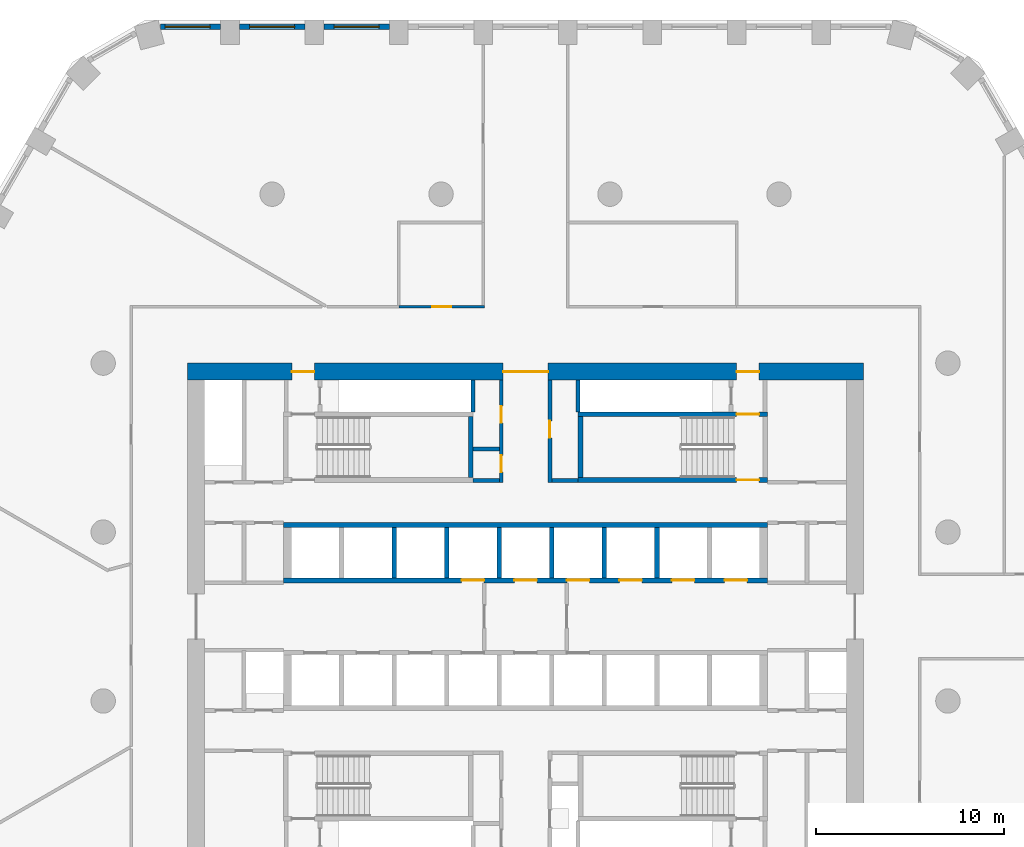
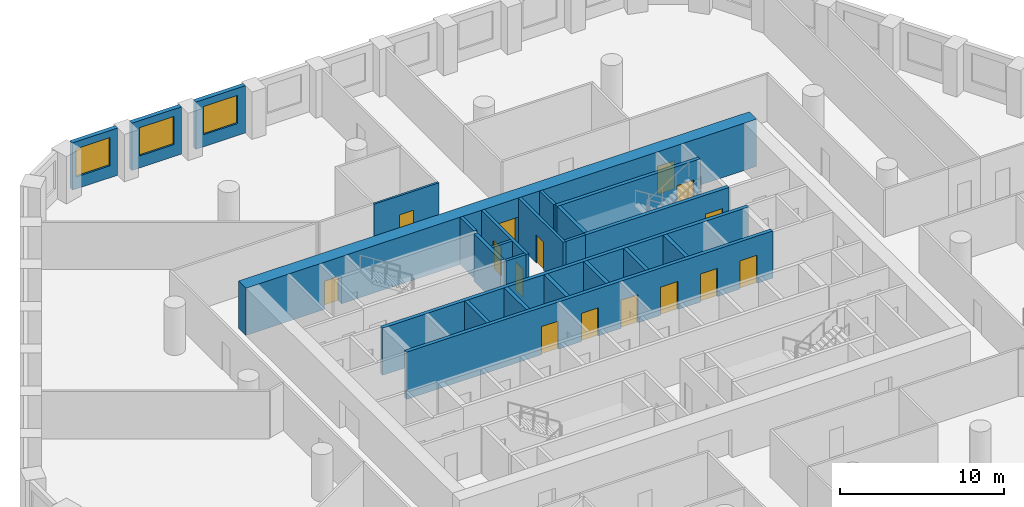
# One storey, part 6 of 10: 24 walls, 15 doors, 3 windows, 18 openings.
"""IFC4 building model written with IfcOpenShell, lengths in metres."""

from ifc_helpers import new_model, si_unit, direction, frame, frame_2d, origin, place, context, subcontext, project, spatial, polyline, rectangle, outline, extrude, material, layer, layer_set, type_object, element, fill, save


model = new_model("IFC4")

# Units and contexts
model_context = context("Model", 3, precision=1e-05, world=origin(), true_north=direction((0.0, 1.0)))
body_context = subcontext(model_context, "Body", "Model", "MODEL_VIEW")
ifc_project = project(units=[si_unit("LENGTHUNIT", "METRE"), si_unit("AREAUNIT", "SQUARE_METRE"), si_unit("VOLUMEUNIT", "CUBIC_METRE"), si_unit("PLANEANGLEUNIT", "RADIAN"), si_unit("MASSUNIT", "GRAM", prefix="KILO")], contexts=[model_context])

# Site, building, storey
site_placement = place(None, origin())
site = spatial("IfcSite", under=ifc_project, at=site_placement, CompositionType="ELEMENT")
building_placement = place(site_placement, origin())
building = spatial("IfcBuilding", under=site, at=building_placement, Name="Dhurran Vertical Campus", CompositionType="ELEMENT")
storey_placement = place(building_placement, frame((0.0, 0.0, 85.199951171875)))
storey = spatial("IfcBuildingStorey", under=building, at=storey_placement, Name="L20", CompositionType="ELEMENT", Elevation=85.199951171875)

# Wall, opening, window
ifc_material_1 = material(Name="Precast concrete C50/60", Category="concrete")
ifc_layer_1 = layer(ifc_material_1, 0.300048828125)
ifc_layer_set_1 = layer_set([ifc_layer_1], Name="Precast concrete C50/60")
wall_type_1 = type_object("IfcWallType", Name="Precast spandrel wall 300", PredefinedType="SOLIDWALL", material=ifc_layer_set_1)
wall_1_placement = place(storey_placement, frame((-7.25048828125, 31.4296875, 0.0), z_axis=(0.0, 0.0, 1.0), x_axis=(-1.0, 0.0, 0.0)))
wall_1 = element("IfcWall", 1, at=wall_1_placement, inside=storey, type_object=wall_type_1, Name="EW1 L20.32", PredefinedType="SOLIDWALL", context=body_context, shape_type="SweptSolid", body=[
    extrude(rectangle(XDim=3.4990234375, YDim=0.300048828125, at=frame_2d((1.74951171875, 0.0))), origin(), (0.0, 0.0, 1.0), 3.525146484375),
])
opening_1_placement = place(wall_1_placement, frame((0.549560546875, 0.0, 0.89990234375)))
opening_1 = element("IfcOpeningElement", 2, at=opening_1_placement, cuts=wall_1, Name="Opening WT1", PredefinedType="OPENING", context=body_context, shape_type="SweptSolid", body=[
    extrude(rectangle(XDim=2.39990234375, YDim=2.10009765625, at=frame_2d((1.199951171875, 1.050048828125))), frame((0.0, 0.159912109375, 0.0), z_axis=(0.0, -1.0, 0.0), x_axis=(1.0, 0.0, 0.0)), (0.0, 0.0, 1.0), 0.320068359375),
])
ifc_material_2 = material(Name="Aluminium frame with solar-control glass", Category="aluminium")
window_type = type_object("IfcWindowType", Name="Punched window 2400 x 2100", PartitioningType="SINGLE_PANEL", PredefinedType="WINDOW", material=ifc_material_2)
window_1_placement = place(opening_1_placement, origin())
window_1 = element("IfcWindow", 3, at=window_1_placement, inside=storey, type_object=window_type, Name="WT1 L20.32", OverallHeight=2.10009765625, OverallWidth=2.39990234375, PartitioningType="SINGLE_PANEL", PredefinedType="WINDOW", context=body_context, shape_type="SweptSolid", body=[
    extrude(rectangle(XDim=2.39990234375, YDim=2.10009765625, at=frame_2d((1.199951171875, 1.050048828125))), frame((0.0, 0.030029296875, 0.0), z_axis=(0.0, -1.0, 0.0), x_axis=(1.0, 0.0, 0.0)), (0.0, 0.0, 1.0), 0.06005859375),
])
fill(opening_1, window_1)

wall_2_placement = place(storey_placement, frame((-11.75048828125, 31.4296875, 0.0), z_axis=(0.0, 0.0, 1.0), x_axis=(-1.0, 0.0, 0.0)))
wall_2 = element("IfcWall", 4, at=wall_2_placement, inside=storey, type_object=wall_type_1, Name="EW1 L20.33", PredefinedType="SOLIDWALL", context=body_context, shape_type="SweptSolid", body=[
    extrude(rectangle(XDim=3.4990234375, YDim=0.300048828125, at=frame_2d((1.74951171875, 0.0))), origin(), (0.0, 0.0, 1.0), 3.525146484375),
])
opening_2_placement = place(wall_2_placement, frame((0.549560546875, 0.0, 0.89990234375)))
opening_2 = element("IfcOpeningElement", 5, at=opening_2_placement, cuts=wall_2, Name="Opening WT1", PredefinedType="OPENING", context=body_context, shape_type="SweptSolid", body=[
    extrude(rectangle(XDim=2.39990234375, YDim=2.10009765625, at=frame_2d((1.199951171875, 1.050048828125))), frame((0.0, 0.159912109375, 0.0), z_axis=(0.0, -1.0, 0.0), x_axis=(1.0, 0.0, 0.0)), (0.0, 0.0, 1.0), 0.320068359375),
])
window_2_placement = place(opening_2_placement, origin())
window_2 = element("IfcWindow", 6, at=window_2_placement, inside=storey, type_object=window_type, Name="WT1 L20.33", OverallHeight=2.10009765625, OverallWidth=2.39990234375, PartitioningType="SINGLE_PANEL", PredefinedType="WINDOW", context=body_context, shape_type="SweptSolid", body=[
    extrude(rectangle(XDim=2.39990234375, YDim=2.10009765625, at=frame_2d((1.199951171875, 1.050048828125))), frame((0.0, 0.030029296875, 0.0), z_axis=(0.0, -1.0, 0.0), x_axis=(1.0, 0.0, 0.0)), (0.0, 0.0, 1.0), 0.06005859375),
])
fill(opening_2, window_2)

wall_3_placement = place(storey_placement, frame((-16.25048828125, 31.4296875, 0.0), z_axis=(0.0, 0.0, 1.0), x_axis=(-1.0, 0.0, 0.0)))
wall_3 = element("IfcWall", 7, at=wall_3_placement, inside=storey, type_object=wall_type_1, Name="EW1 L20.34", PredefinedType="SOLIDWALL", context=body_context, shape_type="SweptSolid", body=[
    extrude(rectangle(XDim=3.1923828125, YDim=0.300048828125, at=frame_2d((1.59619140625, 0.0))), origin(), (0.0, 0.0, 1.0), 3.525146484375),
])
opening_3_placement = place(wall_3_placement, frame((0.549560546875, 0.0, 0.89990234375)))
opening_3 = element("IfcOpeningElement", 8, at=opening_3_placement, cuts=wall_3, Name="Opening WT1", PredefinedType="OPENING", context=body_context, shape_type="SweptSolid", body=[
    extrude(rectangle(XDim=2.39990234375, YDim=2.10009765625, at=frame_2d((1.199951171875, 1.050048828125))), frame((0.0, 0.159912109375, 0.0), z_axis=(0.0, -1.0, 0.0), x_axis=(1.0, 0.0, 0.0)), (0.0, 0.0, 1.0), 0.320068359375),
])
window_3_placement = place(opening_3_placement, origin())
window_3 = element("IfcWindow", 9, at=window_3_placement, inside=storey, type_object=window_type, Name="WT1 L20.34", OverallHeight=2.10009765625, OverallWidth=2.39990234375, PartitioningType="SINGLE_PANEL", PredefinedType="WINDOW", context=body_context, shape_type="SweptSolid", body=[
    extrude(rectangle(XDim=2.39990234375, YDim=2.10009765625, at=frame_2d((1.199951171875, 1.050048828125))), frame((0.0, 0.030029296875, 0.0), z_axis=(0.0, -1.0, 0.0), x_axis=(1.0, 0.0, 0.0)), (0.0, 0.0, 1.0), 0.06005859375),
])
fill(opening_3, window_3)

# Wall, openings, doors
ifc_material_3 = material(Name="Concrete C60/75", Category="concrete")
ifc_layer_2 = layer(ifc_material_3, 0.89990234375)
ifc_layer_set_2 = layer_set([ifc_layer_2], Name="Concrete C60/75")
wall_type_2 = type_object("IfcWallType", Name="co-CORE-WALL-C0-900", PredefinedType="SHEAR", material=ifc_layer_set_2)
wall_4_placement = place(storey_placement, frame((-18.0, 13.050048828125, 0.0), z_axis=(0.0, 0.0, 1.0), x_axis=(1.0, 0.0, 0.0)))
wall_4 = element("IfcWall", 10, at=wall_4_placement, inside=storey, type_object=wall_type_2, Name="Core wall N L20", PredefinedType="SHEAR", context=body_context, shape_type="SweptSolid", body=[
    extrude(rectangle(XDim=36.0, YDim=0.89990234375, at=frame_2d((18.0, 0.0))), origin(), (0.0, 0.0, 1.0), 3.525146484375),
])
opening_4_placement = place(wall_4_placement, frame((16.800048828125, 0.0, 0.0)))
opening_4 = element("IfcOpeningElement", 11, at=opening_4_placement, cuts=wall_4, Name="Opening CV1", PredefinedType="OPENING", context=body_context, shape_type="SweptSolid", body=[
    extrude(rectangle(XDim=2.39990234375, YDim=2.10009765625, at=frame_2d((1.199951171875, 1.050048828125))), frame((0.0, 0.4599609375, 0.0), z_axis=(0.0, -1.0, 0.0), x_axis=(1.0, 0.0, 0.0)), (0.0, 0.0, 1.0), 0.919921875),
])
opening_5_placement = place(wall_4_placement, frame((5.550048828125, 0.0, 0.0)))
opening_5 = element("IfcOpeningElement", 12, at=opening_5_placement, cuts=wall_4, Name="Opening XD1", PredefinedType="OPENING", context=body_context, shape_type="SweptSolid", body=[
    extrude(rectangle(XDim=1.199951171875, YDim=2.10009765625, at=frame_2d((0.60009765625, 1.050048828125))), frame((0.0, 0.4599609375, 0.0), z_axis=(0.0, -1.0, 0.0), x_axis=(1.0, 0.0, 0.0)), (0.0, 0.0, 1.0), 0.919921875),
])
opening_6_placement = place(wall_4_placement, frame((29.25, 0.0, 0.0)))
opening_6 = element("IfcOpeningElement", 13, at=opening_6_placement, cuts=wall_4, Name="Opening XD2", PredefinedType="OPENING", context=body_context, shape_type="SweptSolid", body=[
    extrude(rectangle(XDim=1.199951171875, YDim=2.10009765625, at=frame_2d((0.60009765625, 1.050048828125))), frame((0.0, 0.4599609375, 0.0), z_axis=(0.0, -1.0, 0.0), x_axis=(1.0, 0.0, 0.0)), (0.0, 0.0, 1.0), 0.919921875),
])
ifc_material_4 = material(Name="Fire-rated glazed door set")
door_type_1 = type_object("IfcDoorType", Name="co-D-LOBBY 2400x2100", OperationType="DOUBLE_DOOR_DOUBLE_SWING", PredefinedType="DOOR", material=ifc_material_4)
door_1_placement = place(opening_4_placement, origin())
door_1 = element("IfcDoor", 14, at=door_1_placement, inside=storey, type_object=door_type_1, Name="Core vestibule door N L20", OperationType="DOUBLE_DOOR_DOUBLE_SWING", OverallHeight=2.10009765625, OverallWidth=2.39990234375, PredefinedType="DOOR", context=body_context, shape_type="SweptSolid", body=[
    extrude(rectangle(XDim=2.39990234375, YDim=2.10009765625, at=frame_2d((1.199951171875, 1.050048828125))), frame((0.0, 0.02490234375, 0.0), z_axis=(0.0, -1.0, 0.0), x_axis=(1.0, 0.0, 0.0)), (0.0, 0.0, 1.0), 0.050048828125),
])
fill(opening_4, door_1)
ifc_material_5 = material(Name="Fire-rated steel door set", Category="steel")
door_type_2 = type_object("IfcDoorType", Name="co-D-STAIR-EXIT 1200x2100", OperationType="SINGLE_SWING_RIGHT", PredefinedType="DOOR", material=ifc_material_5)
door_2_placement = place(opening_5_placement, origin())
door_2 = element("IfcDoor", 15, at=door_2_placement, inside=storey, type_object=door_type_2, Name="Stair ST1 exit door L20", OperationType="SINGLE_SWING_RIGHT", OverallHeight=2.10009765625, OverallWidth=1.199951171875, PredefinedType="DOOR", context=body_context, shape_type="SweptSolid", body=[
    extrude(rectangle(XDim=1.199951171875, YDim=2.10009765625, at=frame_2d((0.60009765625, 1.050048828125))), frame((0.0, 0.02490234375, 0.0), z_axis=(0.0, -1.0, 0.0), x_axis=(1.0, 0.0, 0.0)), (0.0, 0.0, 1.0), 0.050048828125),
])
fill(opening_5, door_2)
door_3_placement = place(opening_6_placement, origin())
door_3 = element("IfcDoor", 16, at=door_3_placement, inside=storey, type_object=door_type_2, Name="Stair ST2 exit door L20", OperationType="SINGLE_SWING_RIGHT", OverallHeight=2.10009765625, OverallWidth=1.199951171875, PredefinedType="DOOR", context=body_context, shape_type="SweptSolid", body=[
    extrude(rectangle(XDim=1.199951171875, YDim=2.10009765625, at=frame_2d((0.60009765625, 1.050048828125))), frame((0.0, 0.02490234375, 0.0), z_axis=(0.0, -1.0, 0.0), x_axis=(1.0, 0.0, 0.0)), (0.0, 0.0, 1.0), 0.050048828125),
])
fill(opening_6, door_3)

# Walls
ifc_material_6 = material(Name="Fire-rated masonry blockwork", Category="masonry")
ifc_layer_3 = layer(ifc_material_6, 0.199951171875)
ifc_layer_set_3 = layer_set([ifc_layer_3], Name="Fire-rated masonry blockwork")
wall_type_3 = type_object("IfcWallType", Name="co-FIRE-PARTITION-200", PredefinedType="PARTITIONING", material=ifc_layer_set_3)
for number, where, z_axis, x_axis, name in (
    (17, (-2.800048828125, 7.25, 0.0), (0.0, 0.0, 1.0), (1.0, 0.0, 0.0), "Core partition sl-NW-S L20"),
    (18, (-2.800048828125, 8.925048828125, 0.0), (0.0, 0.0, 1.0), (1.0, 0.0, 0.0), "Core partition sl-NW-cut0 L20"),
    (19, (1.39990234375, 7.25, 0.0), (0.0, 0.0, 1.0), (1.0, 0.0, 0.0), "Core partition sl-NE-S L20"),
):
    element("IfcWall", number, at=place(storey_placement, frame(where, z_axis=z_axis, x_axis=x_axis)), inside=storey, type_object=wall_type_3, Name=name, PredefinedType="PARTITIONING", context=body_context, shape_type="SweptSolid", body=[
        extrude(rectangle(XDim=1.400146484375, YDim=0.199951171875, at=frame_2d((0.7001953125, 0.0))), origin(), (0.0, 0.0, 1.0), 3.525146484375),
    ])

# Wall, openings, doors
wall_5_placement = place(storey_placement, frame((-1.300048828125, 7.14990234375, 0.0), z_axis=(0.0, 0.0, 1.0), x_axis=(0.0, 1.0, 0.0)))
wall_5 = element("IfcWall", 20, at=wall_5_placement, inside=storey, type_object=wall_type_3, Name="Core partition vest-NW L20", PredefinedType="PARTITIONING", context=body_context, shape_type="SweptSolid", body=[
    extrude(rectangle(XDim=5.4501953125, YDim=0.199951171875, at=frame_2d((2.72509765625, 0.0))), origin(), (0.0, 0.0, 1.0), 3.525146484375),
])
opening_7_placement = place(wall_5_placement, frame((0.53759765625, 0.0, 0.0)))
opening_7 = element("IfcOpeningElement", 21, at=opening_7_placement, cuts=wall_5, Name="Opening T05-C5", PredefinedType="OPENING", context=body_context, shape_type="SweptSolid", body=[
    extrude(rectangle(XDim=0.89990234375, YDim=2.10009765625, at=frame_2d((0.449951171875, 1.050048828125))), frame((0.0, 0.10986328125, 0.0), z_axis=(0.0, -1.0, 0.0), x_axis=(1.0, 0.0, 0.0)), (0.0, 0.0, 1.0), 0.219970703125),
])
opening_8_placement = place(wall_5_placement, frame((3.16259765625, 0.0, 0.0)))
opening_8 = element("IfcOpeningElement", 22, at=opening_8_placement, cuts=wall_5, Name="Opening T05-C6", PredefinedType="OPENING", context=body_context, shape_type="SweptSolid", body=[
    extrude(rectangle(XDim=0.89990234375, YDim=2.10009765625, at=frame_2d((0.449951171875, 1.050048828125))), frame((0.0, 0.10986328125, 0.0), z_axis=(0.0, -1.0, 0.0), x_axis=(1.0, 0.0, 0.0)), (0.0, 0.0, 1.0), 0.219970703125),
])
ifc_material_7 = material(Name="Fire-rated timber door set", Category="wood")
door_type_3 = type_object("IfcDoorType", Name="co-D-ROOM 900x2100", OperationType="SINGLE_SWING_LEFT", PredefinedType="DOOR", material=ifc_material_7)
door_4_placement = place(opening_7_placement, origin())
door_4 = element("IfcDoor", 23, at=door_4_placement, inside=storey, type_object=door_type_3, Name="Housekeeping store door L20", OperationType="SINGLE_SWING_LEFT", OverallHeight=2.10009765625, OverallWidth=0.89990234375, PredefinedType="DOOR", context=body_context, shape_type="SweptSolid", body=[
    extrude(rectangle(XDim=0.89990234375, YDim=2.10009765625, at=frame_2d((0.449951171875, 1.050048828125))), frame((0.0, 0.02490234375, 0.0), z_axis=(0.0, -1.0, 0.0), x_axis=(1.0, 0.0, 0.0)), (0.0, 0.0, 1.0), 0.050048828125),
])
fill(opening_7, door_4)
door_5_placement = place(opening_8_placement, origin())
door_5 = element("IfcDoor", 24, at=door_5_placement, inside=storey, type_object=door_type_3, Name="Print room door L20", OperationType="SINGLE_SWING_LEFT", OverallHeight=2.10009765625, OverallWidth=0.89990234375, PredefinedType="DOOR", context=body_context, shape_type="SweptSolid", body=[
    extrude(rectangle(XDim=0.89990234375, YDim=2.10009765625, at=frame_2d((0.449951171875, 1.050048828125))), frame((0.0, 0.02490234375, 0.0), z_axis=(0.0, -1.0, 0.0), x_axis=(1.0, 0.0, 0.0)), (0.0, 0.0, 1.0), 0.050048828125),
])
fill(opening_8, door_5)

# Wall, opening, door
wall_6_placement = place(storey_placement, frame((1.300048828125, 7.14990234375, 0.0), z_axis=(0.0, 0.0, 1.0), x_axis=(0.0, 1.0, 0.0)))
wall_6 = element("IfcWall", 25, at=wall_6_placement, inside=storey, type_object=wall_type_3, Name="Core partition vest-NE L20", PredefinedType="PARTITIONING", context=body_context, shape_type="SweptSolid", body=[
    extrude(rectangle(XDim=5.4501953125, YDim=0.199951171875, at=frame_2d((2.72509765625, 0.0))), origin(), (0.0, 0.0, 1.0), 3.525146484375),
])
opening_9_placement = place(wall_6_placement, frame((2.375, 0.0, 0.0)))
opening_9 = element("IfcOpeningElement", 26, at=opening_9_placement, cuts=wall_6, Name="Opening T05-C7", PredefinedType="OPENING", context=body_context, shape_type="SweptSolid", body=[
    extrude(rectangle(XDim=0.89990234375, YDim=2.10009765625, at=frame_2d((0.449951171875, 1.050048828125))), frame((0.0, 0.10986328125, 0.0), z_axis=(0.0, -1.0, 0.0), x_axis=(1.0, 0.0, 0.0)), (0.0, 0.0, 1.0), 0.219970703125),
])
door_6_placement = place(opening_9_placement, origin())
door_6 = element("IfcDoor", 27, at=door_6_placement, inside=storey, type_object=door_type_3, Name="Cleaner's store door L20", OperationType="SINGLE_SWING_LEFT", OverallHeight=2.10009765625, OverallWidth=0.89990234375, PredefinedType="DOOR", context=body_context, shape_type="SweptSolid", body=[
    extrude(rectangle(XDim=0.89990234375, YDim=2.10009765625, at=frame_2d((0.449951171875, 1.050048828125))), frame((0.0, 0.02490234375, 0.0), z_axis=(0.0, -1.0, 0.0), x_axis=(1.0, 0.0, 0.0)), (0.0, 0.0, 1.0), 0.050048828125),
])
fill(opening_9, door_6)

# Walls
for number, where, z_axis, x_axis, name in (
    (28, (-2.800048828125, 10.90087890625, 0.0), (0.0, 0.0, 1.0), (0.0, 1.0, 0.0), "Riser enclosure wall L20"),
    (29, (2.800048828125, 12.59912109375, 0.0), (0.0, 0.0, 1.0), (0.0, -1.0, 0.0), "Riser enclosure wall L20"),
):
    element("IfcWall", number, at=place(storey_placement, frame(where, z_axis=z_axis, x_axis=x_axis)), inside=storey, type_object=wall_type_3, Name=name, PredefinedType="PARTITIONING", context=body_context, shape_type="SweptSolid", body=[
        extrude(rectangle(XDim=1.6982421875, YDim=0.199951171875, at=frame_2d((0.84912109375, 0.0))), origin(), (0.0, 0.0, 1.0), 3.525146484375),
    ])

# Wall, openings, doors
ifc_material_8 = material(Name="Concrete C50/60", Category="concrete")
ifc_layer_4 = layer(ifc_material_8, 0.25)
ifc_layer_set_4 = layer_set([ifc_layer_4], Name="Concrete C50/60")
wall_type_4 = type_object("IfcWallType", Name="co-SHAFT-FRONT-250", PredefinedType="SHEAR", material=ifc_layer_set_4)
wall_7_placement = place(storey_placement, frame((-12.89990234375, 1.925048828125, 0.0), z_axis=(0.0, 0.0, 1.0), x_axis=(1.0, 0.0, 0.0)))
wall_7 = element("IfcWall", 30, at=wall_7_placement, inside=storey, type_object=wall_type_4, Name="Lift landing wall N L20", PredefinedType="SHEAR", context=body_context, shape_type="SweptSolid", body=[
    extrude(rectangle(XDim=25.7998046875, YDim=0.25, at=frame_2d((12.89990234375, 0.0))), origin(), (0.0, 0.0, 1.0), 3.525146484375),
])
opening_10_placement = place(wall_7_placement, frame((9.5, 0.0, 0.0)))
opening_10 = element("IfcOpeningElement", 31, at=opening_10_placement, cuts=wall_7, Name="Opening LD", PredefinedType="OPENING", context=body_context, shape_type="SweptSolid", body=[
    extrude(rectangle(XDim=1.199951171875, YDim=2.10009765625, at=frame_2d((0.60009765625, 1.050048828125))), frame((0.0, 0.135009765625, 0.0), z_axis=(0.0, -1.0, 0.0), x_axis=(1.0, 0.0, 0.0)), (0.0, 0.0, 1.0), 0.27001953125),
])
opening_11_placement = place(wall_7_placement, frame((12.300048828125, 0.0, 0.0)))
opening_11 = element("IfcOpeningElement", 32, at=opening_11_placement, cuts=wall_7, Name="Opening LD", PredefinedType="OPENING", context=body_context, shape_type="SweptSolid", body=[
    extrude(rectangle(XDim=1.199951171875, YDim=2.10009765625, at=frame_2d((0.60009765625, 1.050048828125))), frame((0.0, 0.135009765625, 0.0), z_axis=(0.0, -1.0, 0.0), x_axis=(1.0, 0.0, 0.0)), (0.0, 0.0, 1.0), 0.27001953125),
])
opening_12_placement = place(wall_7_placement, frame((15.10009765625, 0.0, 0.0)))
opening_12 = element("IfcOpeningElement", 33, at=opening_12_placement, cuts=wall_7, Name="Opening LD", PredefinedType="OPENING", context=body_context, shape_type="SweptSolid", body=[
    extrude(rectangle(XDim=1.199951171875, YDim=2.10009765625, at=frame_2d((0.60009765625, 1.050048828125))), frame((0.0, 0.135009765625, 0.0), z_axis=(0.0, -1.0, 0.0), x_axis=(1.0, 0.0, 0.0)), (0.0, 0.0, 1.0), 0.27001953125),
])
opening_13_placement = place(wall_7_placement, frame((17.89990234375, 0.0, 0.0)))
opening_13 = element("IfcOpeningElement", 34, at=opening_13_placement, cuts=wall_7, Name="Opening LD", PredefinedType="OPENING", context=body_context, shape_type="SweptSolid", body=[
    extrude(rectangle(XDim=1.199951171875, YDim=2.10009765625, at=frame_2d((0.60009765625, 1.050048828125))), frame((0.0, 0.135009765625, 0.0), z_axis=(0.0, -1.0, 0.0), x_axis=(1.0, 0.0, 0.0)), (0.0, 0.0, 1.0), 0.27001953125),
])
opening_14_placement = place(wall_7_placement, frame((20.699951171875, 0.0, 0.0)))
opening_14 = element("IfcOpeningElement", 35, at=opening_14_placement, cuts=wall_7, Name="Opening LD", PredefinedType="OPENING", context=body_context, shape_type="SweptSolid", body=[
    extrude(rectangle(XDim=1.199951171875, YDim=2.10009765625, at=frame_2d((0.60009765625, 1.050048828125))), frame((0.0, 0.135009765625, 0.0), z_axis=(0.0, -1.0, 0.0), x_axis=(1.0, 0.0, 0.0)), (0.0, 0.0, 1.0), 0.27001953125),
])
opening_15_placement = place(wall_7_placement, frame((23.5, 0.0, 0.0)))
opening_15 = element("IfcOpeningElement", 36, at=opening_15_placement, cuts=wall_7, Name="Opening LD", PredefinedType="OPENING", context=body_context, shape_type="SweptSolid", body=[
    extrude(rectangle(XDim=1.199951171875, YDim=2.10009765625, at=frame_2d((0.60009765625, 1.050048828125))), frame((0.0, 0.135009765625, 0.0), z_axis=(0.0, -1.0, 0.0), x_axis=(1.0, 0.0, 0.0)), (0.0, 0.0, 1.0), 0.27001953125),
])
ifc_material_9 = material(Name="Stainless steel landing door", Category="steel")
door_type_4 = type_object("IfcDoorType", Name="co-D-LANDING 1200x2100", OperationType="DOUBLE_DOOR_SLIDING", PredefinedType="DOOR", material=ifc_material_9)
door_7_placement = place(opening_10_placement, origin())
door_7 = element("IfcDoor", 37, at=door_7_placement, inside=storey, type_object=door_type_4, Name="Landing door LR1 L20", OperationType="DOUBLE_DOOR_SLIDING", OverallHeight=2.10009765625, OverallWidth=1.199951171875, PredefinedType="DOOR", context=body_context, shape_type="SweptSolid", body=[
    extrude(rectangle(XDim=1.199951171875, YDim=2.10009765625, at=frame_2d((0.60009765625, 1.050048828125))), frame((0.0, 0.02490234375, 0.0), z_axis=(0.0, -1.0, 0.0), x_axis=(1.0, 0.0, 0.0)), (0.0, 0.0, 1.0), 0.050048828125),
])
fill(opening_10, door_7)
door_8_placement = place(opening_11_placement, origin())
door_8 = element("IfcDoor", 38, at=door_8_placement, inside=storey, type_object=door_type_4, Name="Landing door FF1 L20", OperationType="DOUBLE_DOOR_SLIDING", OverallHeight=2.10009765625, OverallWidth=1.199951171875, PredefinedType="DOOR", context=body_context, shape_type="SweptSolid", body=[
    extrude(rectangle(XDim=1.199951171875, YDim=2.10009765625, at=frame_2d((0.60009765625, 1.050048828125))), frame((0.0, 0.02490234375, 0.0), z_axis=(0.0, -1.0, 0.0), x_axis=(1.0, 0.0, 0.0)), (0.0, 0.0, 1.0), 0.050048828125),
])
fill(opening_11, door_8)
door_9_placement = place(opening_12_placement, origin())
door_9 = element("IfcDoor", 39, at=door_9_placement, inside=storey, type_object=door_type_4, Name="Landing door LR2 L20", OperationType="DOUBLE_DOOR_SLIDING", OverallHeight=2.10009765625, OverallWidth=1.199951171875, PredefinedType="DOOR", context=body_context, shape_type="SweptSolid", body=[
    extrude(rectangle(XDim=1.199951171875, YDim=2.10009765625, at=frame_2d((0.60009765625, 1.050048828125))), frame((0.0, 0.02490234375, 0.0), z_axis=(0.0, -1.0, 0.0), x_axis=(1.0, 0.0, 0.0)), (0.0, 0.0, 1.0), 0.050048828125),
])
fill(opening_12, door_9)
door_10_placement = place(opening_13_placement, origin())
door_10 = element("IfcDoor", 40, at=door_10_placement, inside=storey, type_object=door_type_4, Name="Landing door LR3 L20", OperationType="DOUBLE_DOOR_SLIDING", OverallHeight=2.10009765625, OverallWidth=1.199951171875, PredefinedType="DOOR", context=body_context, shape_type="SweptSolid", body=[
    extrude(rectangle(XDim=1.199951171875, YDim=2.10009765625, at=frame_2d((0.60009765625, 1.050048828125))), frame((0.0, 0.02490234375, 0.0), z_axis=(0.0, -1.0, 0.0), x_axis=(1.0, 0.0, 0.0)), (0.0, 0.0, 1.0), 0.050048828125),
])
fill(opening_13, door_10)
door_11_placement = place(opening_14_placement, origin())
door_11 = element("IfcDoor", 41, at=door_11_placement, inside=storey, type_object=door_type_4, Name="Landing door LR4 L20", OperationType="DOUBLE_DOOR_SLIDING", OverallHeight=2.10009765625, OverallWidth=1.199951171875, PredefinedType="DOOR", context=body_context, shape_type="SweptSolid", body=[
    extrude(rectangle(XDim=1.199951171875, YDim=2.10009765625, at=frame_2d((0.60009765625, 1.050048828125))), frame((0.0, 0.02490234375, 0.0), z_axis=(0.0, -1.0, 0.0), x_axis=(1.0, 0.0, 0.0)), (0.0, 0.0, 1.0), 0.050048828125),
])
fill(opening_14, door_11)
door_12_placement = place(opening_15_placement, origin())
door_12 = element("IfcDoor", 42, at=door_12_placement, inside=storey, type_object=door_type_4, Name="Landing door SV2 L20", OperationType="DOUBLE_DOOR_SLIDING", OverallHeight=2.10009765625, OverallWidth=1.199951171875, PredefinedType="DOOR", context=body_context, shape_type="SweptSolid", body=[
    extrude(rectangle(XDim=1.199951171875, YDim=2.10009765625, at=frame_2d((0.60009765625, 1.050048828125))), frame((0.0, 0.02490234375, 0.0), z_axis=(0.0, -1.0, 0.0), x_axis=(1.0, 0.0, 0.0)), (0.0, 0.0, 1.0), 0.050048828125),
])
fill(opening_15, door_12)

# Walls
ifc_material_10 = material(Name="Concrete C50/60", Category="concrete")
ifc_layer_5 = layer(ifc_material_10, 0.25)
ifc_layer_set_5 = layer_set([ifc_layer_5], Name="Concrete C50/60")
wall_type_5 = type_object("IfcWallType", Name="co-SHAFT-MASS-250", PredefinedType="SHEAR", material=ifc_layer_set_5)
wall_8_placement = place(storey_placement, origin())
element("IfcWall", 43, at=wall_8_placement, inside=storey, type_object=wall_type_5, Name="Lift shaft wall N L20 1", PredefinedType="SHEAR", context=body_context, shape_type="SweptSolid", body=[
    extrude(outline(polyline([(-12.89990234375, 4.75), (12.89990234375, 4.75), (12.89990234375, 5.0), (-12.89990234375, 5.0), (-12.89990234375, 4.75)])), origin(), (0.0, 0.0, 1.0), 3.525146484375),
])
wall_9_placement = place(storey_placement, origin())
element("IfcWall", 44, at=wall_9_placement, inside=storey, type_object=wall_type_5, Name="Lift shaft wall N L20 4", PredefinedType="SHEAR", context=body_context, shape_type="SweptSolid", body=[
    extrude(outline(polyline([(-7.125, 2.050048828125), (-6.875, 2.050048828125), (-6.875, 4.75), (-7.125, 4.75), (-7.125, 2.050048828125)])), origin(), (0.0, 0.0, 1.0), 3.525146484375),
])
wall_10_placement = place(storey_placement, origin())
element("IfcWall", 45, at=wall_10_placement, inside=storey, type_object=wall_type_5, Name="Lift shaft wall N L20 5", PredefinedType="SHEAR", context=body_context, shape_type="SweptSolid", body=[
    extrude(outline(polyline([(-4.324951171875, 2.050048828125), (-4.074951171875, 2.050048828125), (-4.074951171875, 4.75), (-4.324951171875, 4.75), (-4.324951171875, 2.050048828125)])), origin(), (0.0, 0.0, 1.0), 3.525146484375),
])
wall_11_placement = place(storey_placement, origin())
element("IfcWall", 46, at=wall_11_placement, inside=storey, type_object=wall_type_5, Name="Lift shaft wall N L20 6", PredefinedType="SHEAR", context=body_context, shape_type="SweptSolid", body=[
    extrude(outline(polyline([(-1.52490234375, 2.050048828125), (-1.27490234375, 2.050048828125), (-1.27490234375, 4.75), (-1.52490234375, 4.75), (-1.52490234375, 2.050048828125)])), origin(), (0.0, 0.0, 1.0), 3.525146484375),
])
wall_12_placement = place(storey_placement, origin())
element("IfcWall", 47, at=wall_12_placement, inside=storey, type_object=wall_type_5, Name="Lift shaft wall N L20 7", PredefinedType="SHEAR", context=body_context, shape_type="SweptSolid", body=[
    extrude(outline(polyline([(1.27490234375, 2.050048828125), (1.52490234375, 2.050048828125), (1.52490234375, 4.75), (1.27490234375, 4.75), (1.27490234375, 2.050048828125)])), origin(), (0.0, 0.0, 1.0), 3.525146484375),
])
wall_13_placement = place(storey_placement, origin())
element("IfcWall", 48, at=wall_13_placement, inside=storey, type_object=wall_type_5, Name="Lift shaft wall N L20 8", PredefinedType="SHEAR", context=body_context, shape_type="SweptSolid", body=[
    extrude(outline(polyline([(4.074951171875, 2.050048828125), (4.324951171875, 2.050048828125), (4.324951171875, 4.75), (4.074951171875, 4.75), (4.074951171875, 2.050048828125)])), origin(), (0.0, 0.0, 1.0), 3.525146484375),
])
wall_14_placement = place(storey_placement, origin())
element("IfcWall", 49, at=wall_14_placement, inside=storey, type_object=wall_type_5, Name="Lift shaft wall N L20 9", PredefinedType="SHEAR", context=body_context, shape_type="SweptSolid", body=[
    extrude(outline(polyline([(6.875, 2.050048828125), (7.125, 2.050048828125), (7.125, 4.75), (6.875, 4.75), (6.875, 2.050048828125)])), origin(), (0.0, 0.0, 1.0), 3.525146484375),
])
ifc_material_11 = material(Name="Concrete C40/50", Category="concrete")
ifc_layer_6 = layer(ifc_material_11, 0.25)
ifc_layer_set_6 = layer_set([ifc_layer_6], Name="Concrete C40/50")
wall_type_6 = type_object("IfcWallType", Name="co-STAIR-WALL-250", PredefinedType="SHEAR", material=ifc_layer_set_6)
wall_15_placement = place(storey_placement, frame((-2.925048828125, 7.39990234375, 0.0), z_axis=(0.0, 0.0, 1.0), x_axis=(0.0, 1.0, 0.0)))
element("IfcWall", 50, at=wall_15_placement, inside=storey, type_object=wall_type_6, Name="Stair ST1 enclosure wall L20", PredefinedType="SHEAR", context=body_context, shape_type="SweptSolid", body=[
    extrude(rectangle(XDim=3.25, YDim=0.25, at=frame_2d((1.625, 0.0))), origin(), (0.0, 0.0, 1.0), 3.525146484375),
])

# Wall, opening, door
wall_16_placement = place(storey_placement, frame((2.800048828125, 7.27490234375, 0.0), z_axis=(0.0, 0.0, 1.0), x_axis=(1.0, 0.0, 0.0)))
wall_16 = element("IfcWall", 51, at=wall_16_placement, inside=storey, type_object=wall_type_6, Name="Stair ST2 enclosure wall L20", PredefinedType="SHEAR", context=body_context, shape_type="SweptSolid", body=[
    extrude(rectangle(XDim=10.099853515625, YDim=0.25, at=frame_2d((5.0498046875, 0.0))), origin(), (0.0, 0.0, 1.0), 3.525146484375),
])
opening_16_placement = place(wall_16_placement, frame((8.449951171875, 0.0, 0.0)))
opening_16 = element("IfcOpeningElement", 52, at=opening_16_placement, cuts=wall_16, Name="Opening SD2", PredefinedType="OPENING", context=body_context, shape_type="SweptSolid", body=[
    extrude(rectangle(XDim=1.199951171875, YDim=2.10009765625, at=frame_2d((0.60009765625, 1.050048828125))), frame((0.0, 0.135009765625, 0.0), z_axis=(0.0, -1.0, 0.0), x_axis=(1.0, 0.0, 0.0)), (0.0, 0.0, 1.0), 0.27001953125),
])
ifc_material_12 = material(Name="Fire-rated steel door set", Category="steel")
door_type_5 = type_object("IfcDoorType", Name="co-D-STAIR 1200x2100", OperationType="SINGLE_SWING_LEFT", PredefinedType="DOOR", material=ifc_material_12)
door_13_placement = place(opening_16_placement, origin())
door_13 = element("IfcDoor", 53, at=door_13_placement, inside=storey, type_object=door_type_5, Name="Stair ST2 door L20", OperationType="SINGLE_SWING_LEFT", OverallHeight=2.10009765625, OverallWidth=1.199951171875, PredefinedType="DOOR", context=body_context, shape_type="SweptSolid", body=[
    extrude(rectangle(XDim=1.199951171875, YDim=2.10009765625, at=frame_2d((0.60009765625, 1.050048828125))), frame((0.0, 0.02490234375, 0.0), z_axis=(0.0, -1.0, 0.0), x_axis=(1.0, 0.0, 0.0)), (0.0, 0.0, 1.0), 0.050048828125),
])
fill(opening_16, door_13)

wall_17_placement = place(storey_placement, frame((2.800048828125, 10.77490234375, 0.0), z_axis=(0.0, 0.0, 1.0), x_axis=(1.0, 0.0, 0.0)))
wall_17 = element("IfcWall", 54, at=wall_17_placement, inside=storey, type_object=wall_type_6, Name="Stair ST2 enclosure wall L20", PredefinedType="SHEAR", context=body_context, shape_type="SweptSolid", body=[
    extrude(rectangle(XDim=10.099853515625, YDim=0.25, at=frame_2d((5.0498046875, 0.0))), origin(), (0.0, 0.0, 1.0), 3.525146484375),
])
opening_17_placement = place(wall_17_placement, frame((8.449951171875, 0.0, 0.0)))
opening_17 = element("IfcOpeningElement", 55, at=opening_17_placement, cuts=wall_17, Name="Opening XS2", PredefinedType="OPENING", context=body_context, shape_type="SweptSolid", body=[
    extrude(rectangle(XDim=1.199951171875, YDim=2.10009765625, at=frame_2d((0.60009765625, 1.050048828125))), frame((0.0, 0.135009765625, 0.0), z_axis=(0.0, -1.0, 0.0), x_axis=(1.0, 0.0, 0.0)), (0.0, 0.0, 1.0), 0.27001953125),
])
door_14_placement = place(opening_17_placement, origin())
door_14 = element("IfcDoor", 56, at=door_14_placement, inside=storey, type_object=door_type_2, Name="Stair ST2 discharge door L20", OperationType="SINGLE_SWING_RIGHT", OverallHeight=2.10009765625, OverallWidth=1.199951171875, PredefinedType="DOOR", context=body_context, shape_type="SweptSolid", body=[
    extrude(rectangle(XDim=1.199951171875, YDim=2.10009765625, at=frame_2d((0.60009765625, 1.050048828125))), frame((0.0, 0.02490234375, 0.0), z_axis=(0.0, -1.0, 0.0), x_axis=(1.0, 0.0, 0.0)), (0.0, 0.0, 1.0), 0.050048828125),
])
fill(opening_17, door_14)

# Wall
wall_18_placement = place(storey_placement, frame((2.925048828125, 7.39990234375, 0.0), z_axis=(0.0, 0.0, 1.0), x_axis=(0.0, 1.0, 0.0)))
element("IfcWall", 57, at=wall_18_placement, inside=storey, type_object=wall_type_6, Name="Stair ST2 enclosure wall L20", PredefinedType="SHEAR", context=body_context, shape_type="SweptSolid", body=[
    extrude(rectangle(XDim=3.25, YDim=0.25, at=frame_2d((1.625, 0.0))), origin(), (0.0, 0.0, 1.0), 3.525146484375),
])

# Wall, opening, door
ifc_material_13 = material(Name="Gypsum board corridor wall on steel studs", Category="steel")
ifc_layer_7 = layer(ifc_material_13, 0.14990234375)
ifc_layer_set_7 = layer_set([ifc_layer_7], Name="Gypsum board corridor wall on steel studs")
wall_type_7 = type_object("IfcWallType", Name="fl-CW-150 corridor wall", PredefinedType="PARTITIONING", material=ifc_layer_set_7)
wall_19_placement = place(storey_placement, frame((-2.175048828125, 16.5, 0.0), z_axis=(0.0, 0.0, 1.0), x_axis=(-1.0, 0.0, 0.0)))
wall_19 = element("IfcWall", 58, at=wall_19_placement, inside=storey, type_object=wall_type_7, Name="Partition 20-17", PredefinedType="PARTITIONING", context=body_context, shape_type="SweptSolid", body=[
    extrude(rectangle(XDim=4.574951171875, YDim=0.14990234375, at=frame_2d((2.28759765625, 0.0))), origin(), (0.0, 0.0, 1.0), 3.525146484375),
])
opening_18_placement = place(wall_19_placement, frame((1.78759765625, 0.0, 0.0)))
opening_18 = element("IfcOpeningElement", 59, at=opening_18_placement, cuts=wall_19, Name="Opening T05.07", PredefinedType="OPENING", context=body_context, shape_type="SweptSolid", body=[
    extrude(rectangle(XDim=1.0, YDim=2.10009765625, at=frame_2d((0.5, 1.050048828125))), frame((0.0, 0.0849609375, 0.0), z_axis=(0.0, -1.0, 0.0), x_axis=(1.0, 0.0, 0.0)), (0.0, 0.0, 1.0), 0.169921875),
])
ifc_material_14 = material(Name="Solid-core timber door set, fire-rated", Category="wood")
door_type_6 = type_object("IfcDoorType", Name="fl-D-1000x2100", OperationType="SINGLE_SWING_LEFT", PredefinedType="DOOR", material=ifc_material_14)
door_15_placement = place(opening_18_placement, origin())
door_15 = element("IfcDoor", 60, at=door_15_placement, inside=storey, type_object=door_type_6, Name="Door 20.07", OperationType="SINGLE_SWING_RIGHT", OverallHeight=2.10009765625, OverallWidth=1.0, PredefinedType="DOOR", context=body_context, shape_type="SweptSolid", body=[
    extrude(rectangle(XDim=1.0, YDim=2.10009765625, at=frame_2d((0.5, 1.050048828125))), frame((0.0, 0.02490234375, 0.0), z_axis=(0.0, -1.0, 0.0), x_axis=(1.0, 0.0, 0.0)), (0.0, 0.0, 1.0), 0.050048828125),
])
fill(opening_18, door_15)

save(model, "model.ifc")
